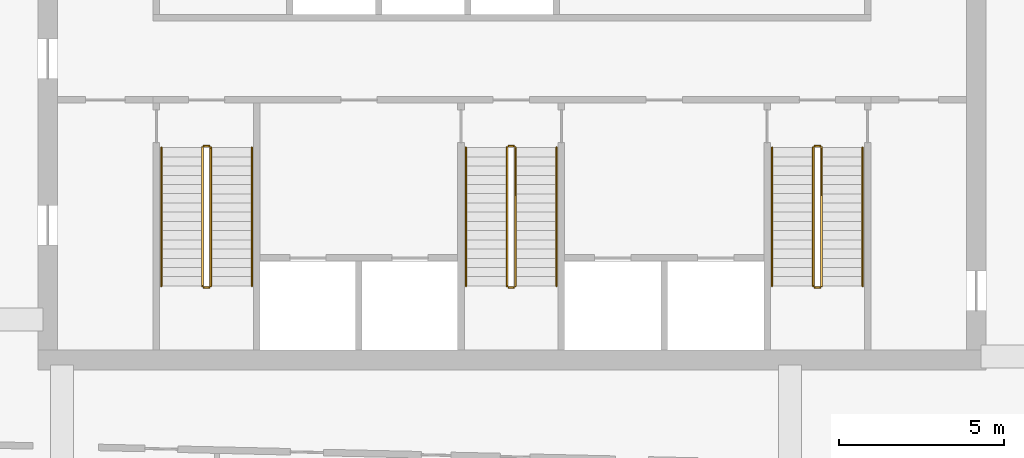
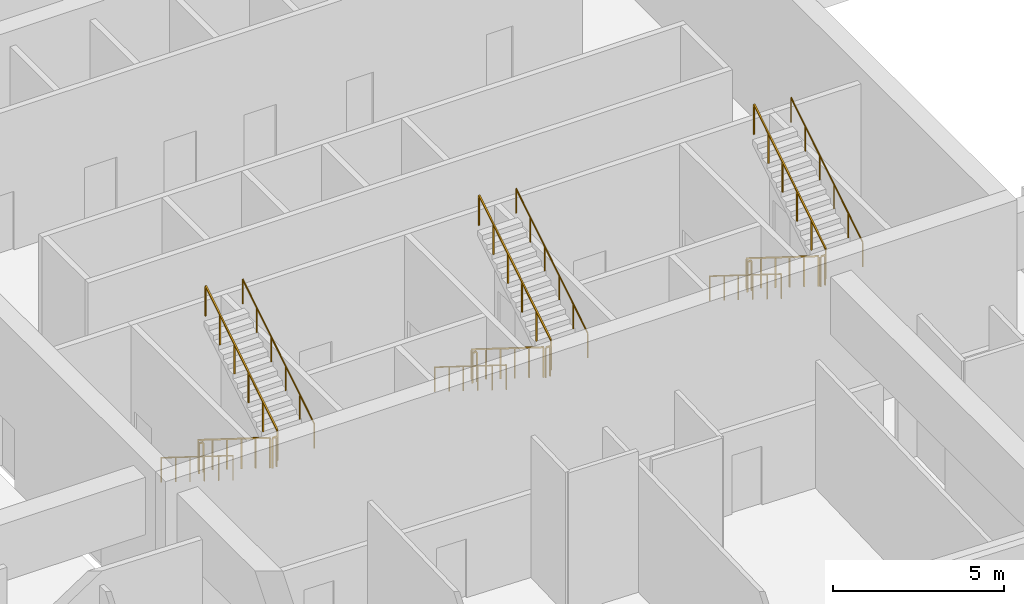
# One storey, part 15 of 16: 18 railings.
"""IFC4 building model written with IfcOpenShell, lengths in metres."""

from ifc_helpers import new_model, si_unit, direction, frame, origin, origin_2d, place, context, subcontext, project, spatial, rectangle, circle, extrude, material, type_object, element, save


model = new_model("IFC4")

# Units and contexts
model_context = context("Model", 3, precision=1e-05, world=origin(), true_north=direction((0.0, 1.0)))
body_context = subcontext(model_context, "Body", "Model", "MODEL_VIEW")
ifc_project = project(units=[si_unit("LENGTHUNIT", "METRE"), si_unit("AREAUNIT", "SQUARE_METRE"), si_unit("VOLUMEUNIT", "CUBIC_METRE"), si_unit("PLANEANGLEUNIT", "RADIAN"), si_unit("MASSUNIT", "GRAM", prefix="KILO")], contexts=[model_context])

# Site, building, storey
site_placement = place(None, origin())
site = spatial("IfcSite", under=ifc_project, at=site_placement, CompositionType="ELEMENT")
building_placement = place(site_placement, origin())
building = spatial("IfcBuilding", under=site, at=building_placement, Name="Mangrove Gate Tower", CompositionType="ELEMENT")
storey_placement = place(building_placement, frame((0.0, 0.0, 324.10009765625)))
storey = spatial("IfcBuildingStorey", under=building, at=storey_placement, Name="L83", CompositionType="ELEMENT", Elevation=324.10009765625)

# Railings
ifc_material_1 = material(Name="Stainless steel 316", Category="steel")
railing_type_1 = type_object("IfcRailingType", Name="Core stair guard 1100", PredefinedType="GUARDRAIL", material=ifc_material_1)
railing_1_placement = place(storey_placement, frame((-9.39990234375, -4.64990234375, 0.1748046875)))
element("IfcRailing", 1, at=railing_1_placement, inside=storey, type_object=railing_type_1, Name="L83 ST1 stair guard 1", PredefinedType="GUARDRAIL", context=body_context, shape_type="SweptSolid", body=[
    extrude(rectangle(XDim=0.048095703125, YDim=0.048095703125, at=origin_2d()), frame((0.0, 0.0, 1.076171875), z_axis=(0.0, -0.848009380541, 0.529981217134), x_axis=(1.0, 0.0, 0.0)), (0.0, 0.0, 1.0), 4.953125),
    extrude(rectangle(XDim=0.0419921875, YDim=0.0419921875, at=origin_2d()), origin(), (0.0, 0.0, 1.0), 1.052001953125),
    extrude(rectangle(XDim=0.0419921875, YDim=0.0419921875, at=origin_2d()), frame((0.0, -0.840087890625, 0.52490234375)), (0.0, 0.0, 1.0), 1.052001953125),
    extrude(rectangle(XDim=0.0419921875, YDim=0.0419921875, at=origin_2d()), frame((0.0, -1.68017578125, 1.050048828125)), (0.0, 0.0, 1.0), 1.052001953125),
    extrude(rectangle(XDim=0.0419921875, YDim=0.0419921875, at=origin_2d()), frame((0.0, -2.52001953125, 1.574951171875)), (0.0, 0.0, 1.0), 1.052001953125),
    extrude(rectangle(XDim=0.0419921875, YDim=0.0419921875, at=origin_2d()), frame((0.0, -3.360107421875, 2.10009765625)), (0.0, 0.0, 1.0), 1.052001953125),
    extrude(rectangle(XDim=0.0419921875, YDim=0.0419921875, at=origin_2d()), frame((0.0, -4.2001953125, 2.625)), (0.0, 0.0, 1.0), 1.052001953125),
])
railing_2_placement = place(storey_placement, frame((-9.35009765625, -8.89990234375, 2.7998046875)))
element("IfcRailing", 2, at=railing_2_placement, inside=storey, type_object=railing_type_1, Name="L83 ST1 stair guard 2", PredefinedType="GUARDRAIL", context=body_context, shape_type="SweptSolid", body=[
    extrude(rectangle(XDim=0.048095703125, YDim=0.048095703125, at=origin_2d()), frame((0.0, 0.0, 1.076171875), z_axis=(1.0, 0.0, 0.0), x_axis=(0.0, 1.0, 0.0)), (0.0, 0.0, 1.0), 0.150146484375),
    extrude(rectangle(XDim=0.0419921875, YDim=0.0419921875, at=origin_2d()), origin(), (0.0, 0.0, 1.0), 1.052001953125),
    extrude(rectangle(XDim=0.0419921875, YDim=0.0419921875, at=origin_2d()), frame((0.150146484375, 0.0, 0.0)), (0.0, 0.0, 1.0), 1.052001953125),
])
railing_3_placement = place(storey_placement, frame((-9.14990234375, -8.85009765625, 2.974853515625)))
element("IfcRailing", 3, at=railing_3_placement, inside=storey, type_object=railing_type_1, Name="L83 ST1 stair guard 3", PredefinedType="GUARDRAIL", context=body_context, shape_type="SweptSolid", body=[
    extrude(rectangle(XDim=0.048095703125, YDim=0.048095703125, at=origin_2d()), frame((0.0, 0.0, 1.076171875), z_axis=(0.0, 0.848009380541, 0.529981217134), x_axis=(-1.0, 0.0, 0.0)), (0.0, 0.0, 1.0), 4.953125),
    extrude(rectangle(XDim=0.0419921875, YDim=0.0419921875, at=origin_2d()), origin(), (0.0, 0.0, 1.0), 1.052001953125),
    extrude(rectangle(XDim=0.0419921875, YDim=0.0419921875, at=origin_2d()), frame((0.0, 0.840087890625, 0.52490234375)), (0.0, 0.0, 1.0), 1.052001953125),
    extrude(rectangle(XDim=0.0419921875, YDim=0.0419921875, at=origin_2d()), frame((0.0, 1.68017578125, 1.050048828125)), (0.0, 0.0, 1.0), 1.052001953125),
    extrude(rectangle(XDim=0.0419921875, YDim=0.0419921875, at=origin_2d()), frame((0.0, 2.52001953125, 1.574951171875)), (0.0, 0.0, 1.0), 1.052001953125),
    extrude(rectangle(XDim=0.0419921875, YDim=0.0419921875, at=origin_2d()), frame((0.0, 3.360107421875, 2.10009765625)), (0.0, 0.0, 1.0), 1.052001953125),
    extrude(rectangle(XDim=0.0419921875, YDim=0.0419921875, at=origin_2d()), frame((0.0, 4.2001953125, 2.625)), (0.0, 0.0, 1.0), 1.052001953125),
])
railing_4_placement = place(storey_placement, frame((-9.35009765625, -4.60009765625, 0.0)))
element("IfcRailing", 4, at=railing_4_placement, inside=storey, type_object=railing_type_1, Name="L83 ST1 stair guard 4", PredefinedType="GUARDRAIL", context=body_context, shape_type="SweptSolid", body=[
    extrude(rectangle(XDim=0.048095703125, YDim=0.048095703125, at=origin_2d()), frame((0.0, 0.0, 1.076171875), z_axis=(1.0, 0.0, 0.0), x_axis=(0.0, 1.0, 0.0)), (0.0, 0.0, 1.0), 0.150146484375),
    extrude(rectangle(XDim=0.0419921875, YDim=0.0419921875, at=origin_2d()), origin(), (0.0, 0.0, 1.0), 1.052001953125),
    extrude(rectangle(XDim=0.0419921875, YDim=0.0419921875, at=origin_2d()), frame((0.150146484375, 0.0, 0.0)), (0.0, 0.0, 1.0), 1.052001953125),
])
railing_5_placement = place(storey_placement, frame((-0.14990234375, -4.64990234375, 0.1748046875)))
element("IfcRailing", 5, at=railing_5_placement, inside=storey, type_object=railing_type_1, Name="L83 ST2 stair guard 1", PredefinedType="GUARDRAIL", context=body_context, shape_type="SweptSolid", body=[
    extrude(rectangle(XDim=0.048095703125, YDim=0.048095703125, at=origin_2d()), frame((0.0, 0.0, 1.076171875), z_axis=(0.0, -0.848009380541, 0.529981217134), x_axis=(1.0, 0.0, 0.0)), (0.0, 0.0, 1.0), 4.953125),
    extrude(rectangle(XDim=0.0419921875, YDim=0.0419921875, at=origin_2d()), origin(), (0.0, 0.0, 1.0), 1.052001953125),
    extrude(rectangle(XDim=0.0419921875, YDim=0.0419921875, at=origin_2d()), frame((0.0, -0.840087890625, 0.52490234375)), (0.0, 0.0, 1.0), 1.052001953125),
    extrude(rectangle(XDim=0.0419921875, YDim=0.0419921875, at=origin_2d()), frame((0.0, -1.68017578125, 1.050048828125)), (0.0, 0.0, 1.0), 1.052001953125),
    extrude(rectangle(XDim=0.0419921875, YDim=0.0419921875, at=origin_2d()), frame((0.0, -2.52001953125, 1.574951171875)), (0.0, 0.0, 1.0), 1.052001953125),
    extrude(rectangle(XDim=0.0419921875, YDim=0.0419921875, at=origin_2d()), frame((0.0, -3.360107421875, 2.10009765625)), (0.0, 0.0, 1.0), 1.052001953125),
    extrude(rectangle(XDim=0.0419921875, YDim=0.0419921875, at=origin_2d()), frame((0.0, -4.2001953125, 2.625)), (0.0, 0.0, 1.0), 1.052001953125),
])
railing_6_placement = place(storey_placement, frame((-0.10009765625, -8.89990234375, 2.7998046875)))
element("IfcRailing", 6, at=railing_6_placement, inside=storey, type_object=railing_type_1, Name="L83 ST2 stair guard 2", PredefinedType="GUARDRAIL", context=body_context, shape_type="SweptSolid", body=[
    extrude(rectangle(XDim=0.048095703125, YDim=0.048095703125, at=origin_2d()), frame((0.0, 0.0, 1.076171875), z_axis=(1.0, 0.0, 0.0), x_axis=(0.0, 1.0, 0.0)), (0.0, 0.0, 1.0), 0.150146484375),
    extrude(rectangle(XDim=0.0419921875, YDim=0.0419921875, at=origin_2d()), origin(), (0.0, 0.0, 1.0), 1.052001953125),
    extrude(rectangle(XDim=0.0419921875, YDim=0.0419921875, at=origin_2d()), frame((0.150146484375, 0.0, 0.0)), (0.0, 0.0, 1.0), 1.052001953125),
])
railing_7_placement = place(storey_placement, frame((0.10009765625, -8.85009765625, 2.974853515625)))
element("IfcRailing", 7, at=railing_7_placement, inside=storey, type_object=railing_type_1, Name="L83 ST2 stair guard 3", PredefinedType="GUARDRAIL", context=body_context, shape_type="SweptSolid", body=[
    extrude(rectangle(XDim=0.048095703125, YDim=0.048095703125, at=origin_2d()), frame((0.0, 0.0, 1.076171875), z_axis=(0.0, 0.848009380541, 0.529981217134), x_axis=(-1.0, 0.0, 0.0)), (0.0, 0.0, 1.0), 4.953125),
    extrude(rectangle(XDim=0.0419921875, YDim=0.0419921875, at=origin_2d()), origin(), (0.0, 0.0, 1.0), 1.052001953125),
    extrude(rectangle(XDim=0.0419921875, YDim=0.0419921875, at=origin_2d()), frame((0.0, 0.840087890625, 0.52490234375)), (0.0, 0.0, 1.0), 1.052001953125),
    extrude(rectangle(XDim=0.0419921875, YDim=0.0419921875, at=origin_2d()), frame((0.0, 1.68017578125, 1.050048828125)), (0.0, 0.0, 1.0), 1.052001953125),
    extrude(rectangle(XDim=0.0419921875, YDim=0.0419921875, at=origin_2d()), frame((0.0, 2.52001953125, 1.574951171875)), (0.0, 0.0, 1.0), 1.052001953125),
    extrude(rectangle(XDim=0.0419921875, YDim=0.0419921875, at=origin_2d()), frame((0.0, 3.360107421875, 2.10009765625)), (0.0, 0.0, 1.0), 1.052001953125),
    extrude(rectangle(XDim=0.0419921875, YDim=0.0419921875, at=origin_2d()), frame((0.0, 4.2001953125, 2.625)), (0.0, 0.0, 1.0), 1.052001953125),
])
railing_8_placement = place(storey_placement, frame((-0.10009765625, -4.60009765625, 0.0)))
element("IfcRailing", 8, at=railing_8_placement, inside=storey, type_object=railing_type_1, Name="L83 ST2 stair guard 4", PredefinedType="GUARDRAIL", context=body_context, shape_type="SweptSolid", body=[
    extrude(rectangle(XDim=0.048095703125, YDim=0.048095703125, at=origin_2d()), frame((0.0, 0.0, 1.076171875), z_axis=(1.0, 0.0, 0.0), x_axis=(0.0, 1.0, 0.0)), (0.0, 0.0, 1.0), 0.150146484375),
    extrude(rectangle(XDim=0.0419921875, YDim=0.0419921875, at=origin_2d()), origin(), (0.0, 0.0, 1.0), 1.052001953125),
    extrude(rectangle(XDim=0.0419921875, YDim=0.0419921875, at=origin_2d()), frame((0.150146484375, 0.0, 0.0)), (0.0, 0.0, 1.0), 1.052001953125),
])
railing_9_placement = place(storey_placement, frame((9.14990234375, -4.64990234375, 0.1748046875)))
element("IfcRailing", 9, at=railing_9_placement, inside=storey, type_object=railing_type_1, Name="L83 ST3 stair guard 1", PredefinedType="GUARDRAIL", context=body_context, shape_type="SweptSolid", body=[
    extrude(rectangle(XDim=0.048095703125, YDim=0.048095703125, at=origin_2d()), frame((0.0, 0.0, 1.076171875), z_axis=(0.0, -0.848009380541, 0.529981217134), x_axis=(1.0, 0.0, 0.0)), (0.0, 0.0, 1.0), 4.953125),
    extrude(rectangle(XDim=0.0419921875, YDim=0.0419921875, at=origin_2d()), origin(), (0.0, 0.0, 1.0), 1.052001953125),
    extrude(rectangle(XDim=0.0419921875, YDim=0.0419921875, at=origin_2d()), frame((0.0, -0.840087890625, 0.52490234375)), (0.0, 0.0, 1.0), 1.052001953125),
    extrude(rectangle(XDim=0.0419921875, YDim=0.0419921875, at=origin_2d()), frame((0.0, -1.68017578125, 1.050048828125)), (0.0, 0.0, 1.0), 1.052001953125),
    extrude(rectangle(XDim=0.0419921875, YDim=0.0419921875, at=origin_2d()), frame((0.0, -2.52001953125, 1.574951171875)), (0.0, 0.0, 1.0), 1.052001953125),
    extrude(rectangle(XDim=0.0419921875, YDim=0.0419921875, at=origin_2d()), frame((0.0, -3.360107421875, 2.10009765625)), (0.0, 0.0, 1.0), 1.052001953125),
    extrude(rectangle(XDim=0.0419921875, YDim=0.0419921875, at=origin_2d()), frame((0.0, -4.2001953125, 2.625)), (0.0, 0.0, 1.0), 1.052001953125),
])
railing_10_placement = place(storey_placement, frame((9.199951171875, -8.89990234375, 2.7998046875)))
element("IfcRailing", 10, at=railing_10_placement, inside=storey, type_object=railing_type_1, Name="L83 ST3 stair guard 2", PredefinedType="GUARDRAIL", context=body_context, shape_type="SweptSolid", body=[
    extrude(rectangle(XDim=0.048095703125, YDim=0.048095703125, at=origin_2d()), frame((0.0, 0.0, 1.076171875), z_axis=(1.0, 0.0, 0.0), x_axis=(0.0, 1.0, 0.0)), (0.0, 0.0, 1.0), 0.150146484375),
    extrude(rectangle(XDim=0.0419921875, YDim=0.0419921875, at=origin_2d()), origin(), (0.0, 0.0, 1.0), 1.052001953125),
    extrude(rectangle(XDim=0.0419921875, YDim=0.0419921875, at=origin_2d()), frame((0.150146484375, 0.0, 0.0)), (0.0, 0.0, 1.0), 1.052001953125),
])
railing_11_placement = place(storey_placement, frame((9.39990234375, -8.85009765625, 2.974853515625)))
element("IfcRailing", 11, at=railing_11_placement, inside=storey, type_object=railing_type_1, Name="L83 ST3 stair guard 3", PredefinedType="GUARDRAIL", context=body_context, shape_type="SweptSolid", body=[
    extrude(rectangle(XDim=0.048095703125, YDim=0.048095703125, at=origin_2d()), frame((0.0, 0.0, 1.076171875), z_axis=(0.0, 0.848009380541, 0.529981217134), x_axis=(-1.0, 0.0, 0.0)), (0.0, 0.0, 1.0), 4.953125),
    extrude(rectangle(XDim=0.0419921875, YDim=0.0419921875, at=origin_2d()), origin(), (0.0, 0.0, 1.0), 1.052001953125),
    extrude(rectangle(XDim=0.0419921875, YDim=0.0419921875, at=origin_2d()), frame((0.0, 0.840087890625, 0.52490234375)), (0.0, 0.0, 1.0), 1.052001953125),
    extrude(rectangle(XDim=0.0419921875, YDim=0.0419921875, at=origin_2d()), frame((0.0, 1.68017578125, 1.050048828125)), (0.0, 0.0, 1.0), 1.052001953125),
    extrude(rectangle(XDim=0.0419921875, YDim=0.0419921875, at=origin_2d()), frame((0.0, 2.52001953125, 1.574951171875)), (0.0, 0.0, 1.0), 1.052001953125),
    extrude(rectangle(XDim=0.0419921875, YDim=0.0419921875, at=origin_2d()), frame((0.0, 3.360107421875, 2.10009765625)), (0.0, 0.0, 1.0), 1.052001953125),
    extrude(rectangle(XDim=0.0419921875, YDim=0.0419921875, at=origin_2d()), frame((0.0, 4.2001953125, 2.625)), (0.0, 0.0, 1.0), 1.052001953125),
])
railing_12_placement = place(storey_placement, frame((9.199951171875, -4.60009765625, 0.0)))
element("IfcRailing", 12, at=railing_12_placement, inside=storey, type_object=railing_type_1, Name="L83 ST3 stair guard 4", PredefinedType="GUARDRAIL", context=body_context, shape_type="SweptSolid", body=[
    extrude(rectangle(XDim=0.048095703125, YDim=0.048095703125, at=origin_2d()), frame((0.0, 0.0, 1.076171875), z_axis=(1.0, 0.0, 0.0), x_axis=(0.0, 1.0, 0.0)), (0.0, 0.0, 1.0), 0.150146484375),
    extrude(rectangle(XDim=0.0419921875, YDim=0.0419921875, at=origin_2d()), origin(), (0.0, 0.0, 1.0), 1.052001953125),
    extrude(rectangle(XDim=0.0419921875, YDim=0.0419921875, at=origin_2d()), frame((0.150146484375, 0.0, 0.0)), (0.0, 0.0, 1.0), 1.052001953125),
])
ifc_material_2 = material(Name="Stainless steel 316", Category="steel")
railing_type_2 = type_object("IfcRailingType", Name="Core stair handrail 900", PredefinedType="HANDRAIL", material=ifc_material_2)
railing_13_placement = place(storey_placement, frame((-10.64990234375, -4.64990234375, 0.1748046875)))
element("IfcRailing", 13, at=railing_13_placement, inside=storey, type_object=railing_type_2, Name="L83 ST1 stair handrail 1", PredefinedType="HANDRAIL", context=body_context, shape_type="SweptSolid", body=[
    extrude(circle(Radius=0.02392578125, at=origin_2d()), frame((0.0, 0.0, 0.8759765625), z_axis=(0.0, -0.848009380541, 0.529981217134), x_axis=(1.0, 0.0, 0.0)), (0.0, 0.0, 1.0), 4.953125),
    extrude(circle(Radius=0.02099609375, at=origin_2d()), origin(), (0.0, 0.0, 1.0), 0.851806640625),
    extrude(circle(Radius=0.02099609375, at=origin_2d()), frame((0.0, -0.840087890625, 0.52490234375)), (0.0, 0.0, 1.0), 0.851806640625),
    extrude(circle(Radius=0.02099609375, at=origin_2d()), frame((0.0, -1.68017578125, 1.050048828125)), (0.0, 0.0, 1.0), 0.851806640625),
    extrude(circle(Radius=0.02099609375, at=origin_2d()), frame((0.0, -2.52001953125, 1.574951171875)), (0.0, 0.0, 1.0), 0.851806640625),
    extrude(circle(Radius=0.02099609375, at=origin_2d()), frame((0.0, -3.360107421875, 2.10009765625)), (0.0, 0.0, 1.0), 0.851806640625),
    extrude(circle(Radius=0.02099609375, at=origin_2d()), frame((0.0, -4.2001953125, 2.625)), (0.0, 0.0, 1.0), 0.851806640625),
])
railing_14_placement = place(storey_placement, frame((-7.89990234375, -8.85009765625, 2.974853515625)))
element("IfcRailing", 14, at=railing_14_placement, inside=storey, type_object=railing_type_2, Name="L83 ST1 stair handrail 2", PredefinedType="HANDRAIL", context=body_context, shape_type="SweptSolid", body=[
    extrude(circle(Radius=0.02392578125, at=origin_2d()), frame((0.0, 0.0, 0.8759765625), z_axis=(0.0, 0.848009380541, 0.529981217134), x_axis=(-1.0, 0.0, 0.0)), (0.0, 0.0, 1.0), 4.953125),
    extrude(circle(Radius=0.02099609375, at=origin_2d()), origin(), (0.0, 0.0, 1.0), 0.851806640625),
    extrude(circle(Radius=0.02099609375, at=origin_2d()), frame((0.0, 0.840087890625, 0.52490234375)), (0.0, 0.0, 1.0), 0.851806640625),
    extrude(circle(Radius=0.02099609375, at=origin_2d()), frame((0.0, 1.68017578125, 1.050048828125)), (0.0, 0.0, 1.0), 0.851806640625),
    extrude(circle(Radius=0.02099609375, at=origin_2d()), frame((0.0, 2.52001953125, 1.574951171875)), (0.0, 0.0, 1.0), 0.851806640625),
    extrude(circle(Radius=0.02099609375, at=origin_2d()), frame((0.0, 3.360107421875, 2.10009765625)), (0.0, 0.0, 1.0), 0.851806640625),
    extrude(circle(Radius=0.02099609375, at=origin_2d()), frame((0.0, 4.2001953125, 2.625)), (0.0, 0.0, 1.0), 0.851806640625),
])
railing_15_placement = place(storey_placement, frame((-1.39990234375, -4.64990234375, 0.1748046875)))
element("IfcRailing", 15, at=railing_15_placement, inside=storey, type_object=railing_type_2, Name="L83 ST2 stair handrail 1", PredefinedType="HANDRAIL", context=body_context, shape_type="SweptSolid", body=[
    extrude(circle(Radius=0.02392578125, at=origin_2d()), frame((0.0, 0.0, 0.8759765625), z_axis=(0.0, -0.848009380541, 0.529981217134), x_axis=(1.0, 0.0, 0.0)), (0.0, 0.0, 1.0), 4.953125),
    extrude(circle(Radius=0.02099609375, at=origin_2d()), origin(), (0.0, 0.0, 1.0), 0.851806640625),
    extrude(circle(Radius=0.02099609375, at=origin_2d()), frame((0.0, -0.840087890625, 0.52490234375)), (0.0, 0.0, 1.0), 0.851806640625),
    extrude(circle(Radius=0.02099609375, at=origin_2d()), frame((0.0, -1.68017578125, 1.050048828125)), (0.0, 0.0, 1.0), 0.851806640625),
    extrude(circle(Radius=0.02099609375, at=origin_2d()), frame((0.0, -2.52001953125, 1.574951171875)), (0.0, 0.0, 1.0), 0.851806640625),
    extrude(circle(Radius=0.02099609375, at=origin_2d()), frame((0.0, -3.360107421875, 2.10009765625)), (0.0, 0.0, 1.0), 0.851806640625),
    extrude(circle(Radius=0.02099609375, at=origin_2d()), frame((0.0, -4.2001953125, 2.625)), (0.0, 0.0, 1.0), 0.851806640625),
])
railing_16_placement = place(storey_placement, frame((1.35009765625, -8.85009765625, 2.974853515625)))
element("IfcRailing", 16, at=railing_16_placement, inside=storey, type_object=railing_type_2, Name="L83 ST2 stair handrail 2", PredefinedType="HANDRAIL", context=body_context, shape_type="SweptSolid", body=[
    extrude(circle(Radius=0.02392578125, at=origin_2d()), frame((0.0, 0.0, 0.8759765625), z_axis=(0.0, 0.848009380541, 0.529981217134), x_axis=(-1.0, 0.0, 0.0)), (0.0, 0.0, 1.0), 4.953125),
    extrude(circle(Radius=0.02099609375, at=origin_2d()), origin(), (0.0, 0.0, 1.0), 0.851806640625),
    extrude(circle(Radius=0.02099609375, at=origin_2d()), frame((0.0, 0.840087890625, 0.52490234375)), (0.0, 0.0, 1.0), 0.851806640625),
    extrude(circle(Radius=0.02099609375, at=origin_2d()), frame((0.0, 1.68017578125, 1.050048828125)), (0.0, 0.0, 1.0), 0.851806640625),
    extrude(circle(Radius=0.02099609375, at=origin_2d()), frame((0.0, 2.52001953125, 1.574951171875)), (0.0, 0.0, 1.0), 0.851806640625),
    extrude(circle(Radius=0.02099609375, at=origin_2d()), frame((0.0, 3.360107421875, 2.10009765625)), (0.0, 0.0, 1.0), 0.851806640625),
    extrude(circle(Radius=0.02099609375, at=origin_2d()), frame((0.0, 4.2001953125, 2.625)), (0.0, 0.0, 1.0), 0.851806640625),
])
railing_17_placement = place(storey_placement, frame((7.89990234375, -4.64990234375, 0.1748046875)))
element("IfcRailing", 17, at=railing_17_placement, inside=storey, type_object=railing_type_2, Name="L83 ST3 stair handrail 1", PredefinedType="HANDRAIL", context=body_context, shape_type="SweptSolid", body=[
    extrude(circle(Radius=0.02392578125, at=origin_2d()), frame((0.0, 0.0, 0.8759765625), z_axis=(0.0, -0.848009380541, 0.529981217134), x_axis=(1.0, 0.0, 0.0)), (0.0, 0.0, 1.0), 4.953125),
    extrude(circle(Radius=0.02099609375, at=origin_2d()), origin(), (0.0, 0.0, 1.0), 0.851806640625),
    extrude(circle(Radius=0.02099609375, at=origin_2d()), frame((0.0, -0.840087890625, 0.52490234375)), (0.0, 0.0, 1.0), 0.851806640625),
    extrude(circle(Radius=0.02099609375, at=origin_2d()), frame((0.0, -1.68017578125, 1.050048828125)), (0.0, 0.0, 1.0), 0.851806640625),
    extrude(circle(Radius=0.02099609375, at=origin_2d()), frame((0.0, -2.52001953125, 1.574951171875)), (0.0, 0.0, 1.0), 0.851806640625),
    extrude(circle(Radius=0.02099609375, at=origin_2d()), frame((0.0, -3.360107421875, 2.10009765625)), (0.0, 0.0, 1.0), 0.851806640625),
    extrude(circle(Radius=0.02099609375, at=origin_2d()), frame((0.0, -4.2001953125, 2.625)), (0.0, 0.0, 1.0), 0.851806640625),
])
railing_18_placement = place(storey_placement, frame((10.64990234375, -8.85009765625, 2.974853515625)))
element("IfcRailing", 18, at=railing_18_placement, inside=storey, type_object=railing_type_2, Name="L83 ST3 stair handrail 2", PredefinedType="HANDRAIL", context=body_context, shape_type="SweptSolid", body=[
    extrude(circle(Radius=0.02392578125, at=origin_2d()), frame((0.0, 0.0, 0.8759765625), z_axis=(0.0, 0.848009380541, 0.529981217134), x_axis=(-1.0, 0.0, 0.0)), (0.0, 0.0, 1.0), 4.953125),
    extrude(circle(Radius=0.02099609375, at=origin_2d()), origin(), (0.0, 0.0, 1.0), 0.851806640625),
    extrude(circle(Radius=0.02099609375, at=origin_2d()), frame((0.0, 0.840087890625, 0.52490234375)), (0.0, 0.0, 1.0), 0.851806640625),
    extrude(circle(Radius=0.02099609375, at=origin_2d()), frame((0.0, 1.68017578125, 1.050048828125)), (0.0, 0.0, 1.0), 0.851806640625),
    extrude(circle(Radius=0.02099609375, at=origin_2d()), frame((0.0, 2.52001953125, 1.574951171875)), (0.0, 0.0, 1.0), 0.851806640625),
    extrude(circle(Radius=0.02099609375, at=origin_2d()), frame((0.0, 3.360107421875, 2.10009765625)), (0.0, 0.0, 1.0), 0.851806640625),
    extrude(circle(Radius=0.02099609375, at=origin_2d()), frame((0.0, 4.2001953125, 2.625)), (0.0, 0.0, 1.0), 0.851806640625),
])

save(model, "model.ifc")
